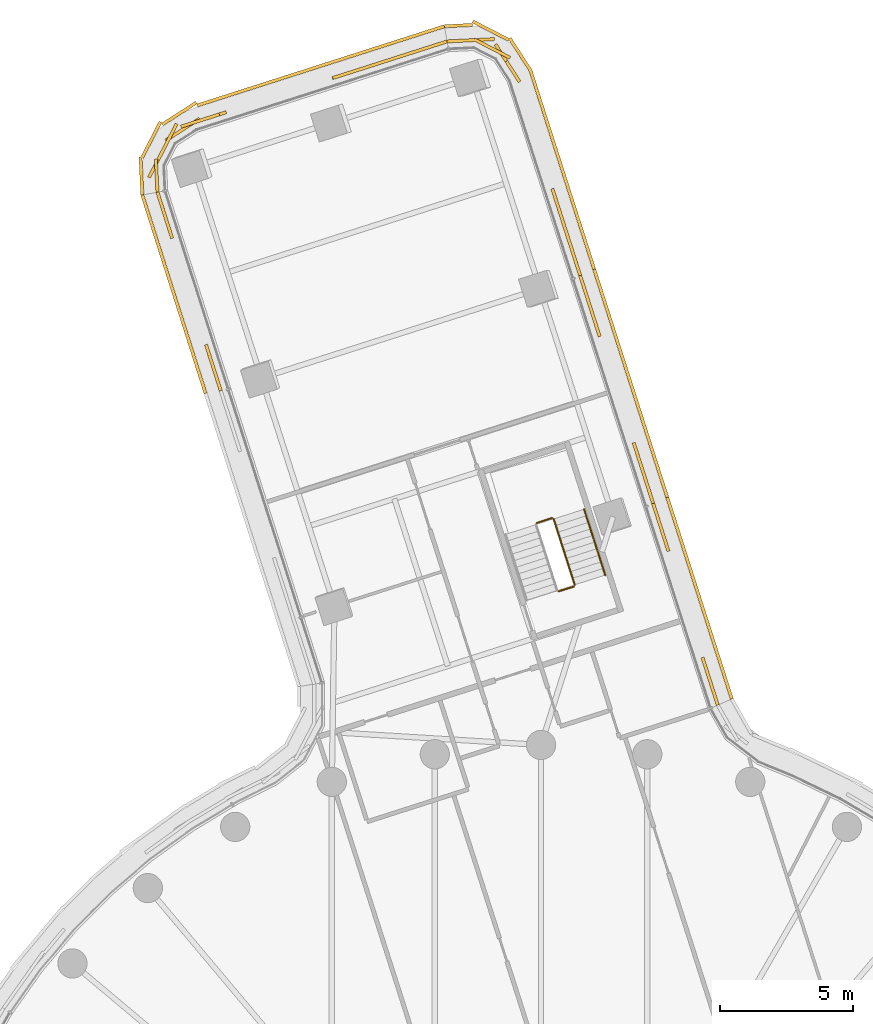
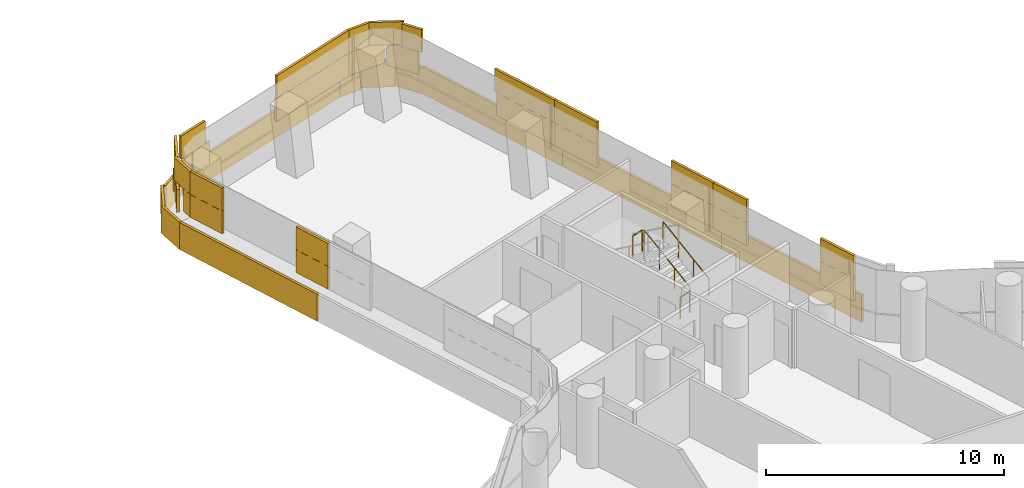
# One storey, part 30 of 30: 5 coverings, 4 railings.
"""IFC4 building model written with IfcOpenShell, lengths in metres."""

from ifc_helpers import new_model, si_unit, direction, frame, origin, origin_2d, place, context, subcontext, project, spatial, rectangle, circle, extrude, material, layer, layer_set, type_object, element, save


model = new_model("IFC4")

# Units and contexts
model_context = context("Model", 3, precision=1e-05, world=origin(), true_north=direction((0.0, 1.0)))
body_context = subcontext(model_context, "Body", "Model", "MODEL_VIEW")
ifc_project = project(units=[si_unit("LENGTHUNIT", "METRE"), si_unit("AREAUNIT", "SQUARE_METRE"), si_unit("VOLUMEUNIT", "CUBIC_METRE"), si_unit("PLANEANGLEUNIT", "RADIAN"), si_unit("MASSUNIT", "GRAM", prefix="KILO")], contexts=[model_context])

# Site, building, storey
site_placement = place(None, origin())
site = spatial("IfcSite", under=ifc_project, at=site_placement, CompositionType="ELEMENT")
building_placement = place(site_placement, origin())
building = spatial("IfcBuilding", under=site, at=building_placement, Name="Tamarind Cross Interchange Tower", CompositionType="ELEMENT")
storey_placement = place(building_placement, frame((0.0, 0.0, 98.5)))
storey = spatial("IfcBuildingStorey", under=building, at=storey_placement, Name="L23", CompositionType="ELEMENT", Elevation=98.5)

# Railings
ifc_material_1 = material(Name="Stair guard")
railing_type_1 = type_object("IfcRailingType", Name="Stair guard", PredefinedType="GUARDRAIL", material=ifc_material_1)
railing_1_placement = place(storey_placement, frame((1.2685546875, 29.021728515625, 0.17041015625)))
element("IfcRailing", 1, at=railing_1_placement, inside=storey, type_object=railing_type_1, Name="L23 ST4 stair guard 1", PredefinedType="GUARDRAIL", context=body_context, shape_type="SweptSolid", body=[
    extrude(circle(Radius=0.02392578125, at=origin_2d()), frame((0.0, 0.0, 1.076171875), z_axis=(-0.255136052864, 0.796426546061, 0.548279446322), x_axis=(-0.952327065072, -0.305078942459, 0.0)), (0.0, 0.0, 1.0), 3.10888671875),
    extrude(circle(Radius=0.02099609375, at=origin_2d()), origin(), (0.0, 0.0, 1.0), 1.052001953125),
    extrude(circle(Radius=0.02099609375, at=origin_2d()), frame((-0.264404296875, 0.825439453125, 0.568115234375)), (0.0, 0.0, 1.0), 1.052001953125),
    extrude(circle(Radius=0.02099609375, at=origin_2d()), frame((-0.52880859375, 1.650634765625, 1.136474609375)), (0.0, 0.0, 1.0), 1.052001953125),
    extrude(circle(Radius=0.02099609375, at=origin_2d()), frame((-0.793212890625, 2.47607421875, 1.70458984375)), (0.0, 0.0, 1.0), 1.052001953125),
])
for number, where, name in (
    (2, (0.412353515625, 31.530029296875, 1.875), "L23 ST4 stair guard 2"),
    (3, (1.236083984375, 28.958740234375, 0.0), "L23 ST4 stair guard 4"),
):
    element("IfcRailing", number, at=place(storey_placement, frame(where)), inside=storey, type_object=railing_type_1, Name=name, PredefinedType="GUARDRAIL", context=body_context, shape_type="SweptSolid", body=[
        extrude(circle(Radius=0.02392578125, at=origin_2d()), frame((0.0, 0.0, 1.076171875), z_axis=(-0.952282288042, -0.305218682065, 0.0), x_axis=(0.305218682065, -0.952282288042, 0.0)), (0.0, 0.0, 1.0), 0.599853515625),
        extrude(circle(Radius=0.02099609375, at=origin_2d()), origin(), (0.0, 0.0, 1.0), 1.052001953125),
        extrude(circle(Radius=0.02099609375, at=origin_2d()), frame((-0.5712890625, -0.18310546875, 0.0)), (0.0, 0.0, 1.0), 1.052001953125),
    ])
ifc_material_2 = material(Name="Stair handrail")
railing_type_2 = type_object("IfcRailingType", Name="Stair handrail", PredefinedType="HANDRAIL", material=ifc_material_2)
railing_2_placement = place(storey_placement, frame((2.411376953125, 29.3876953125, 0.17041015625)))
element("IfcRailing", 4, at=railing_2_placement, inside=storey, type_object=railing_type_2, Name="L23 ST4 stair handrail 1", PredefinedType="HANDRAIL", context=body_context, shape_type="SweptSolid", body=[
    extrude(circle(Radius=0.02392578125, at=origin_2d()), frame((0.0, 0.0, 0.8759765625), z_axis=(-0.255136052864, 0.796426546061, 0.548279446322), x_axis=(-0.952327065072, -0.305078942459, 0.0)), (0.0, 0.0, 1.0), 3.10888671875),
    extrude(circle(Radius=0.02099609375, at=origin_2d()), origin(), (0.0, 0.0, 1.0), 0.851806640625),
    extrude(circle(Radius=0.02099609375, at=origin_2d()), frame((-0.264404296875, 0.825439453125, 0.568115234375)), (0.0, 0.0, 1.0), 0.851806640625),
    extrude(circle(Radius=0.02099609375, at=origin_2d()), frame((-0.52880859375, 1.650634765625, 1.136474609375)), (0.0, 0.0, 1.0), 0.851806640625),
    extrude(circle(Radius=0.02099609375, at=origin_2d()), frame((-0.793212890625, 2.47607421875, 1.70458984375)), (0.0, 0.0, 1.0), 0.851806640625),
])

# Coverings
ifc_material_3 = material(Name="Terracotta", Category="masonry")
ifc_layer = layer(ifc_material_3, 0.1201171875)
ifc_layer_set = layer_set([ifc_layer], Name="Terracotta")
covering_type = type_object("IfcCoveringType", Name="Terracotta baguette screen unit", PredefinedType="MOLDING", material=ifc_layer_set)
covering_1_placement = place(storey_placement, origin())
element("IfcCovering", 5, at=covering_1_placement, inside=storey, type_object=covering_type, Name="SCR-L23-03-00", PredefinedType="MOLDING", context=body_context, shape_type="SweptSolid", body=[
    extrude(rectangle(XDim=0.760009765625, YDim=0.1201171875, at=origin_2d()), frame((6.52978515625, 24.8564453125, 1.404052734375), z_axis=(0.0, 0.0, 1.0), x_axis=(-0.305057113111, 0.95233405785, 0.0)), (0.0, 0.0, 1.0), 1.1669921875),
    extrude(rectangle(XDim=1.138427734375, YDim=0.1201171875, at=origin_2d()), frame((6.243408203125, 25.750732421875, 1.404052734375), z_axis=(0.0, 0.0, 1.0), x_axis=(-0.305057113111, 0.95233405785, 0.0)), (0.0, 0.0, 1.0), 1.1669921875),
    extrude(rectangle(XDim=0.681640625, YDim=0.1201171875, at=origin_2d()), frame((4.6875, 30.607666015625, 1.404052734375), z_axis=(0.0, 0.0, 1.0), x_axis=(-0.305057113111, 0.95233405785, 0.0)), (0.0, 0.0, 1.0), 1.1669921875),
    extrude(rectangle(XDim=1.216796875, YDim=0.1201171875, at=origin_2d()), frame((4.401123046875, 31.502197265625, 1.404052734375), z_axis=(0.0, 0.0, 1.0), x_axis=(-0.305057113111, 0.95233405785, 0.0)), (0.0, 0.0, 1.0), 1.1669921875),
    extrude(rectangle(XDim=1.510009765625, YDim=0.1201171875, at=origin_2d()), frame((6.41552734375, 25.21337890625, 2.5791015625), z_axis=(0.0, 0.0, 1.0), x_axis=(-0.305057113111, 0.95233405785, 0.0)), (0.0, 0.0, 1.0), 1.1669921875),
    extrude(rectangle(XDim=0.388427734375, YDim=0.1201171875, at=origin_2d()), frame((6.12890625, 26.10791015625, 2.5791015625), z_axis=(0.0, 0.0, 1.0), x_axis=(-0.305057113111, 0.95233405785, 0.0)), (0.0, 0.0, 1.0), 1.1669921875),
    extrude(rectangle(XDim=1.431640625, YDim=0.1201171875, at=origin_2d()), frame((4.5732421875, 30.96484375, 2.5791015625), z_axis=(0.0, 0.0, 1.0), x_axis=(-0.305057113111, 0.95233405785, 0.0)), (0.0, 0.0, 1.0), 1.1669921875),
    extrude(rectangle(XDim=0.466796875, YDim=0.1201171875, at=origin_2d()), frame((4.28662109375, 31.859130859375, 2.5791015625), z_axis=(0.0, 0.0, 1.0), x_axis=(-0.305057113111, 0.95233405785, 0.0)), (0.0, 0.0, 1.0), 1.1669921875),
    extrude(rectangle(XDim=0.760009765625, YDim=0.1201171875, at=origin_2d()), frame((7.057373046875, 25.091552734375, 0.00390625), z_axis=(0.0, 0.0, 1.0), x_axis=(-0.305057113111, 0.95233405785, 0.0)), (0.0, 0.0, 1.0), 1.39208984375),
    extrude(rectangle(XDim=1.52001953125, YDim=0.1201171875, at=origin_2d()), frame((6.715576171875, 26.158203125, 0.00390625), z_axis=(0.0, 0.0, 1.0), x_axis=(-0.305057113111, 0.95233405785, 0.0)), (0.0, 0.0, 1.0), 1.39208984375),
    extrude(rectangle(XDim=1.52001953125, YDim=0.1201171875, at=origin_2d()), frame((6.258056640625, 27.586669921875, 0.00390625), z_axis=(0.0, 0.0, 1.0), x_axis=(-0.305057113111, 0.95233405785, 0.0)), (0.0, 0.0, 1.0), 1.39208984375),
    extrude(rectangle(XDim=1.52001953125, YDim=0.1201171875, at=origin_2d()), frame((5.800537109375, 29.01513671875, 0.00390625), z_axis=(0.0, 0.0, 1.0), x_axis=(-0.305057113111, 0.95233405785, 0.0)), (0.0, 0.0, 1.0), 1.39208984375),
    extrude(rectangle(XDim=1.52001953125, YDim=0.1201171875, at=origin_2d()), frame((5.3427734375, 30.443603515625, 0.00390625), z_axis=(0.0, 0.0, 1.0), x_axis=(-0.305057113111, 0.95233405785, 0.0)), (0.0, 0.0, 1.0), 1.39208984375),
    extrude(rectangle(XDim=1.222412109375, YDim=0.1201171875, at=origin_2d()), frame((4.9306640625, 31.73046875, 0.00390625), z_axis=(0.0, 0.0, 1.0), x_axis=(-0.305057113111, 0.95233405785, 0.0)), (0.0, 0.0, 1.0), 1.39208984375),
])
covering_2_placement = place(storey_placement, origin())
element("IfcCovering", 6, at=covering_2_placement, inside=storey, type_object=covering_type, Name="SCR-L23-03-01", PredefinedType="MOLDING", context=body_context, shape_type="SweptSolid", body=[
    extrude(rectangle(XDim=0.30322265625, YDim=0.1201171875, at=origin_2d()), frame((4.17236328125, 32.21630859375, 1.404052734375), z_axis=(0.0, 0.0, 1.0), x_axis=(-0.305057113111, 0.95233405785, 0.0)), (0.0, 0.0, 1.0), 1.1669921875),
    extrude(rectangle(XDim=1.52001953125, YDim=0.1201171875, at=origin_2d()), frame((3.898681640625, 33.0703125, 1.404052734375), z_axis=(0.0, 0.0, 1.0), x_axis=(-0.305057113111, 0.95233405785, 0.0)), (0.0, 0.0, 1.0), 1.1669921875),
    extrude(rectangle(XDim=0.6171875, YDim=0.1201171875, at=origin_2d()), frame((3.577392578125, 34.07373046875, 1.404052734375), z_axis=(0.0, 0.0, 1.0), x_axis=(-0.305057113111, 0.95233405785, 0.0)), (0.0, 0.0, 1.0), 1.1669921875),
    extrude(rectangle(XDim=1.20263671875, YDim=0.1201171875, at=origin_2d()), frame((2.021484375, 38.9306640625, 1.404052734375), z_axis=(0.0, 0.0, 1.0), x_axis=(-0.305057113111, 0.95233405785, 0.0)), (0.0, 0.0, 1.0), 1.1669921875),
    extrude(rectangle(XDim=1.2177734375, YDim=0.1201171875, at=origin_2d()), frame((1.655517578125, 40.073486328125, 1.404052734375), z_axis=(0.0, 0.0, 1.0), x_axis=(-0.305057113111, 0.95233405785, 0.0)), (0.0, 0.0, 1.0), 1.1669921875),
    extrude(rectangle(XDim=1.05322265625, YDim=0.1201171875, at=origin_2d()), frame((4.057861328125, 32.573486328125, 2.5791015625), z_axis=(0.0, 0.0, 1.0), x_axis=(-0.305057113111, 0.95233405785, 0.0)), (0.0, 0.0, 1.0), 1.1669921875),
    extrude(rectangle(XDim=1.3671875, YDim=0.1201171875, at=origin_2d()), frame((3.691650390625, 33.716552734375, 2.5791015625), z_axis=(0.0, 0.0, 1.0), x_axis=(-0.305057113111, 0.95233405785, 0.0)), (0.0, 0.0, 1.0), 1.1669921875),
    extrude(rectangle(XDim=0.45263671875, YDim=0.1201171875, at=origin_2d()), frame((2.135986328125, 38.573486328125, 2.5791015625), z_axis=(0.0, 0.0, 1.0), x_axis=(-0.305057113111, 0.95233405785, 0.0)), (0.0, 0.0, 1.0), 1.1669921875),
    extrude(rectangle(XDim=1.52001953125, YDim=0.1201171875, at=origin_2d()), frame((1.839599609375, 39.49853515625, 2.5791015625), z_axis=(0.0, 0.0, 1.0), x_axis=(-0.305057113111, 0.95233405785, 0.0)), (0.0, 0.0, 1.0), 1.1669921875),
    extrude(rectangle(XDim=0.4677734375, YDim=0.1201171875, at=origin_2d()), frame((1.541015625, 40.4306640625, 2.5791015625), z_axis=(0.0, 0.0, 1.0), x_axis=(-0.305057113111, 0.95233405785, 0.0)), (0.0, 0.0, 1.0), 1.1669921875),
    extrude(rectangle(XDim=0.297607421875, YDim=0.1201171875, at=origin_2d()), frame((4.69873046875, 32.454345703125, 0.00390625), z_axis=(0.0, 0.0, 1.0), x_axis=(-0.305057113111, 0.95233405785, 0.0)), (0.0, 0.0, 1.0), 1.39208984375),
    extrude(rectangle(XDim=1.52001953125, YDim=0.1201171875, at=origin_2d()), frame((4.427734375, 33.30078125, 0.00390625), z_axis=(0.0, 0.0, 1.0), x_axis=(-0.305057113111, 0.95233405785, 0.0)), (0.0, 0.0, 1.0), 1.39208984375),
    extrude(rectangle(XDim=1.52001953125, YDim=0.1201171875, at=origin_2d()), frame((3.97021484375, 34.729248046875, 0.00390625), z_axis=(0.0, 0.0, 1.0), x_axis=(-0.305057113111, 0.95233405785, 0.0)), (0.0, 0.0, 1.0), 1.39208984375),
    extrude(rectangle(XDim=1.52001953125, YDim=0.1201171875, at=origin_2d()), frame((3.512451171875, 36.15771484375, 0.00390625), z_axis=(0.0, 0.0, 1.0), x_axis=(-0.305057113111, 0.95233405785, 0.0)), (0.0, 0.0, 1.0), 1.39208984375),
    extrude(rectangle(XDim=1.52001953125, YDim=0.1201171875, at=origin_2d()), frame((3.054931640625, 37.586181640625, 0.00390625), z_axis=(0.0, 0.0, 1.0), x_axis=(-0.305057113111, 0.95233405785, 0.0)), (0.0, 0.0, 1.0), 1.39208984375),
    extrude(rectangle(XDim=1.52001953125, YDim=0.1201171875, at=origin_2d()), frame((2.597412109375, 39.0146484375, 0.00390625), z_axis=(0.0, 0.0, 1.0), x_axis=(-0.305057113111, 0.95233405785, 0.0)), (0.0, 0.0, 1.0), 1.39208984375),
    extrude(rectangle(XDim=1.229736328125, YDim=0.1201171875, at=origin_2d()), frame((2.18408203125, 40.304931640625, 0.00390625), z_axis=(0.0, 0.0, 1.0), x_axis=(-0.305057113111, 0.95233405785, 0.0)), (0.0, 0.0, 1.0), 1.39208984375),
])
covering_3_placement = place(storey_placement, origin())
element("IfcCovering", 7, at=covering_3_placement, inside=storey, type_object=covering_type, Name="SCR-L23-03-02", PredefinedType="MOLDING", context=body_context, shape_type="SweptSolid", body=[
    extrude(rectangle(XDim=0.30224609375, YDim=0.1201171875, at=origin_2d()), frame((1.426513671875, 40.787841796875, 1.404052734375), z_axis=(0.0, 0.0, 1.0), x_axis=(-0.305057113111, 0.95233405785, 0.0)), (0.0, 0.0, 1.0), 1.1669921875),
    extrude(rectangle(XDim=1.52001953125, YDim=0.1201171875, at=origin_2d()), frame((1.1533203125, 41.641357421875, 1.404052734375), z_axis=(0.0, 0.0, 1.0), x_axis=(-0.305057113111, 0.95233405785, 0.0)), (0.0, 0.0, 1.0), 1.1669921875),
    extrude(rectangle(XDim=1.52001953125, YDim=0.1201171875, at=origin_2d()), frame((0.69580078125, 43.06982421875, 1.404052734375), z_axis=(0.0, 0.0, 1.0), x_axis=(-0.305057113111, 0.95233405785, 0.0)), (0.0, 0.0, 1.0), 1.1669921875),
    extrude(rectangle(XDim=1.52001953125, YDim=0.1201171875, at=origin_2d()), frame((-1.30224609375, 48.704833984375, 1.404052734375), z_axis=(0.0, 0.0, 1.0), x_axis=(-0.541144735519, 0.840929471014, 0.0)), (0.0, 0.0, 1.0), 1.1669921875),
    extrude(rectangle(XDim=1.52001953125, YDim=0.1201171875, at=origin_2d()), frame((-2.515869140625, 49.502197265625, 1.404052734375), z_axis=(0.0, 0.0, 1.0), x_axis=(-0.998838652449, -0.048180352576, 0.0)), (0.0, 0.0, 1.0), 1.1669921875),
    extrude(rectangle(XDim=0.276611328125, YDim=0.1201171875, at=origin_2d()), frame((-3.398193359375, 49.459716796875, 1.404052734375), z_axis=(0.0, 0.0, 1.0), x_axis=(-0.998838652449, -0.048180352576, 0.0)), (0.0, 0.0, 1.0), 1.1669921875),
    extrude(rectangle(XDim=1.05224609375, YDim=0.1201171875, at=origin_2d()), frame((1.312255859375, 41.14501953125, 2.5791015625), z_axis=(0.0, 0.0, 1.0), x_axis=(-0.305057113111, 0.95233405785, 0.0)), (0.0, 0.0, 1.0), 1.1669921875),
    extrude(rectangle(XDim=1.52001953125, YDim=0.1201171875, at=origin_2d()), frame((0.924560546875, 42.35546875, 2.5791015625), z_axis=(0.0, 0.0, 1.0), x_axis=(-0.305057113111, 0.95233405785, 0.0)), (0.0, 0.0, 1.0), 1.1669921875),
    extrude(rectangle(XDim=0.897216796875, YDim=0.1201171875, at=origin_2d()), frame((0.560302734375, 43.4921875, 2.5791015625), z_axis=(0.0, 0.0, 1.0), x_axis=(-0.305057113111, 0.95233405785, 0.0)), (0.0, 0.0, 1.0), 1.1669921875),
    extrude(rectangle(XDim=0.9228515625, YDim=0.1201171875, at=origin_2d()), frame((-1.05517578125, 48.32080078125, 2.5791015625), z_axis=(0.0, 0.0, 1.0), x_axis=(-0.541144735519, 0.840929471014, 0.0)), (0.0, 0.0, 1.0), 1.1669921875),
    extrude(rectangle(XDim=1.52001953125, YDim=0.1201171875, at=origin_2d()), frame((-1.843017578125, 49.186767578125, 2.5791015625), z_axis=(0.0, 0.0, 1.0), x_axis=(-0.889109823591, 0.45769391693, 0.0)), (0.0, 0.0, 1.0), 1.1669921875),
    extrude(rectangle(XDim=1.026611328125, YDim=0.1201171875, at=origin_2d()), frame((-3.023681640625, 49.477783203125, 2.5791015625), z_axis=(0.0, 0.0, 1.0), x_axis=(-0.998838652449, -0.048180352576, 0.0)), (0.0, 0.0, 1.0), 1.1669921875),
    extrude(rectangle(XDim=0.290283203125, YDim=0.1201171875, at=origin_2d()), frame((1.9521484375, 41.02880859375, 0.00390625), z_axis=(0.0, 0.0, 1.0), x_axis=(-0.305057113111, 0.95233405785, 0.0)), (0.0, 0.0, 1.0), 1.39208984375),
    extrude(rectangle(XDim=1.52001953125, YDim=0.1201171875, at=origin_2d()), frame((1.68212890625, 41.871826171875, 0.00390625), z_axis=(0.0, 0.0, 1.0), x_axis=(-0.305057113111, 0.95233405785, 0.0)), (0.0, 0.0, 1.0), 1.39208984375),
    extrude(rectangle(XDim=1.52001953125, YDim=0.1201171875, at=origin_2d()), frame((1.224609375, 43.30029296875, 0.00390625), z_axis=(0.0, 0.0, 1.0), x_axis=(-0.305057113111, 0.95233405785, 0.0)), (0.0, 0.0, 1.0), 1.39208984375),
    extrude(rectangle(XDim=1.52001953125, YDim=0.1201171875, at=origin_2d()), frame((0.76708984375, 44.728759765625, 0.00390625), z_axis=(0.0, 0.0, 1.0), x_axis=(-0.305057113111, 0.95233405785, 0.0)), (0.0, 0.0, 1.0), 1.39208984375),
    extrude(rectangle(XDim=1.52001953125, YDim=0.1201171875, at=origin_2d()), frame((0.309326171875, 46.1572265625, 0.00390625), z_axis=(0.0, 0.0, 1.0), x_axis=(-0.305057113111, 0.95233405785, 0.0)), (0.0, 0.0, 1.0), 1.39208984375),
    extrude(rectangle(XDim=1.52001953125, YDim=0.1201171875, at=origin_2d()), frame((-0.148193359375, 47.585693359375, 0.00390625), z_axis=(0.0, 0.0, 1.0), x_axis=(-0.305057113111, 0.95233405785, 0.0)), (0.0, 0.0, 1.0), 1.39208984375),
    extrude(rectangle(XDim=1.52001953125, YDim=0.1201171875, at=origin_2d()), frame((-0.76904296875, 48.937255859375, 0.00390625), z_axis=(0.0, 0.0, 1.0), x_axis=(-0.541144735519, 0.840929471014, 0.0)), (0.0, 0.0, 1.0), 1.39208984375),
    extrude(rectangle(XDim=1.52001953125, YDim=0.1201171875, at=origin_2d()), frame((-1.89111328125, 49.85693359375, 0.00390625), z_axis=(0.0, 0.0, 1.0), x_axis=(-0.889109823591, 0.45769391693, 0.0)), (0.0, 0.0, 1.0), 1.39208984375),
    extrude(rectangle(XDim=1.060302734375, YDim=0.1201171875, at=origin_2d()), frame((-3.10498046875, 50.048583984375, 0.00390625), z_axis=(0.0, 0.0, 1.0), x_axis=(-0.998838652449, -0.048180352576, 0.0)), (0.0, 0.0, 1.0), 1.39208984375),
])
covering_4_placement = place(storey_placement, origin())
element("IfcCovering", 8, at=covering_4_placement, inside=storey, type_object=covering_type, Name="SCR-L23-04-00", PredefinedType="MOLDING", context=body_context, shape_type="SweptSolid", body=[
    extrude(rectangle(XDim=0.760009765625, YDim=0.1201171875, at=origin_2d()), frame((-3.888427734375, 49.3388671875, 1.404052734375), z_axis=(0.0, 0.0, 1.0), x_axis=(-0.95233405785, -0.305057113111, 0.0)), (0.0, 0.0, 1.0), 1.1669921875),
    extrude(rectangle(XDim=1.52001953125, YDim=0.1201171875, at=origin_2d()), frame((-4.959716796875, 48.99560546875, 1.404052734375), z_axis=(0.0, 0.0, 1.0), x_axis=(-0.95233405785, -0.305057113111, 0.0)), (0.0, 0.0, 1.0), 1.1669921875),
    extrude(rectangle(XDim=1.52001953125, YDim=0.1201171875, at=origin_2d()), frame((-6.38818359375, 48.5380859375, 1.404052734375), z_axis=(0.0, 0.0, 1.0), x_axis=(-0.95233405785, -0.305057113111, 0.0)), (0.0, 0.0, 1.0), 1.1669921875),
    extrude(rectangle(XDim=0.784912109375, YDim=0.1201171875, at=origin_2d()), frame((-7.471435546875, 48.191162109375, 1.404052734375), z_axis=(0.0, 0.0, 1.0), x_axis=(-0.95233405785, -0.305057113111, 0.0)), (0.0, 0.0, 1.0), 1.1669921875),
    extrude(rectangle(XDim=1.03515625, YDim=0.1201171875, at=origin_2d()), frame((-12.328369140625, 46.63525390625, 1.404052734375), z_axis=(0.0, 0.0, 1.0), x_axis=(-0.95233405785, -0.305057113111, 0.0)), (0.0, 0.0, 1.0), 1.1669921875),
    extrude(rectangle(XDim=1.52001953125, YDim=0.1201171875, at=origin_2d()), frame((-13.477783203125, 46.1376953125, 1.404052734375), z_axis=(0.0, 0.0, 1.0), x_axis=(-0.840929471014, -0.541144735519, 0.0)), (0.0, 0.0, 1.0), 1.1669921875),
    extrude(rectangle(XDim=1.52001953125, YDim=0.1201171875, at=origin_2d()), frame((-14.392333984375, 45.010986328125, 1.404052734375), z_axis=(0.0, 0.0, 1.0), x_axis=(-0.45769391693, -0.889109823591, 0.0)), (0.0, 0.0, 1.0), 1.1669921875),
    extrude(rectangle(XDim=0.509521484375, YDim=0.1201171875, at=origin_2d()), frame((-14.434326171875, 44.031982421875, 1.404052734375), z_axis=(0.0, 0.0, 1.0), x_axis=(0.048180352576, -0.998838652449, 0.0)), (0.0, 0.0, 1.0), 1.1669921875),
    extrude(rectangle(XDim=1.510009765625, YDim=0.1201171875, at=origin_2d()), frame((-4.24560546875, 49.224365234375, 2.5791015625), z_axis=(0.0, 0.0, 1.0), x_axis=(-0.95233405785, -0.305057113111, 0.0)), (0.0, 0.0, 1.0), 1.1669921875),
    extrude(rectangle(XDim=1.52001953125, YDim=0.1201171875, at=origin_2d()), frame((-5.674072265625, 48.766845703125, 2.5791015625), z_axis=(0.0, 0.0, 1.0), x_axis=(-0.95233405785, -0.305057113111, 0.0)), (0.0, 0.0, 1.0), 1.1669921875),
    extrude(rectangle(XDim=1.52001953125, YDim=0.1201171875, at=origin_2d()), frame((-7.1025390625, 48.309326171875, 2.5791015625), z_axis=(0.0, 0.0, 1.0), x_axis=(-0.95233405785, -0.305057113111, 0.0)), (0.0, 0.0, 1.0), 1.1669921875),
    extrude(rectangle(XDim=1.52001953125, YDim=0.1201171875, at=origin_2d()), frame((-12.816650390625, 46.47900390625, 2.5791015625), z_axis=(0.0, 0.0, 1.0), x_axis=(-0.95233405785, -0.305057113111, 0.0)), (0.0, 0.0, 1.0), 1.1669921875),
    extrude(rectangle(XDim=1.52001953125, YDim=0.1201171875, at=origin_2d()), frame((-14.049072265625, 45.677978515625, 2.5791015625), z_axis=(0.0, 0.0, 1.0), x_axis=(-0.45769391693, -0.889109823591, 0.0)), (0.0, 0.0, 1.0), 1.1669921875),
    extrude(rectangle(XDim=1.259521484375, YDim=0.1201171875, at=origin_2d()), frame((-14.452392578125, 44.406494140625, 2.5791015625), z_axis=(0.0, 0.0, 1.0), x_axis=(0.048180352576, -0.998838652449, 0.0)), (0.0, 0.0, 1.0), 1.1669921875),
    extrude(rectangle(XDim=0.760009765625, YDim=0.1201171875, at=origin_2d()), frame((-3.996337890625, 49.906982421875, 0.00390625), z_axis=(0.0, 0.0, 1.0), x_axis=(-0.95233405785, -0.305057113111, 0.0)), (0.0, 0.0, 1.0), 1.39208984375),
    extrude(rectangle(XDim=1.52001953125, YDim=0.1201171875, at=origin_2d()), frame((-5.06298828125, 49.5654296875, 0.00390625), z_axis=(0.0, 0.0, 1.0), x_axis=(-0.95233405785, -0.305057113111, 0.0)), (0.0, 0.0, 1.0), 1.39208984375),
    extrude(rectangle(XDim=1.52001953125, YDim=0.1201171875, at=origin_2d()), frame((-6.491455078125, 49.10791015625, 0.00390625), z_axis=(0.0, 0.0, 1.0), x_axis=(-0.95233405785, -0.305057113111, 0.0)), (0.0, 0.0, 1.0), 1.39208984375),
    extrude(rectangle(XDim=1.52001953125, YDim=0.1201171875, at=origin_2d()), frame((-7.919921875, 48.650146484375, 0.00390625), z_axis=(0.0, 0.0, 1.0), x_axis=(-0.95233405785, -0.305057113111, 0.0)), (0.0, 0.0, 1.0), 1.39208984375),
    extrude(rectangle(XDim=1.52001953125, YDim=0.1201171875, at=origin_2d()), frame((-9.348388671875, 48.192626953125, 0.00390625), z_axis=(0.0, 0.0, 1.0), x_axis=(-0.95233405785, -0.305057113111, 0.0)), (0.0, 0.0, 1.0), 1.39208984375),
    extrude(rectangle(XDim=1.52001953125, YDim=0.1201171875, at=origin_2d()), frame((-10.77685546875, 47.735107421875, 0.00390625), z_axis=(0.0, 0.0, 1.0), x_axis=(-0.95233405785, -0.305057113111, 0.0)), (0.0, 0.0, 1.0), 1.39208984375),
    extrude(rectangle(XDim=1.52001953125, YDim=0.1201171875, at=origin_2d()), frame((-12.205322265625, 47.27734375, 0.00390625), z_axis=(0.0, 0.0, 1.0), x_axis=(-0.95233405785, -0.305057113111, 0.0)), (0.0, 0.0, 1.0), 1.39208984375),
    extrude(rectangle(XDim=1.52001953125, YDim=0.1201171875, at=origin_2d()), frame((-13.59765625, 46.7431640625, 0.00390625), z_axis=(0.0, 0.0, 1.0), x_axis=(-0.840929471014, -0.541144735519, 0.0)), (0.0, 0.0, 1.0), 1.39208984375),
    extrude(rectangle(XDim=1.52001953125, YDim=0.1201171875, at=origin_2d()), frame((-14.657958984375, 45.748779296875, 0.00390625), z_axis=(0.0, 0.0, 1.0), x_axis=(-0.45769391693, -0.889109823591, 0.0)), (0.0, 0.0, 1.0), 1.39208984375),
    extrude(rectangle(XDim=1.4267578125, YDim=0.1201171875, at=origin_2d()), frame((-15.0263671875, 44.392333984375, 0.00390625), z_axis=(0.0, 0.0, 1.0), x_axis=(0.048180352576, -0.998838652449, 0.0)), (0.0, 0.0, 1.0), 1.39208984375),
])
covering_5_placement = place(storey_placement, origin())
element("IfcCovering", 9, at=covering_5_placement, inside=storey, type_object=covering_type, Name="SCR-L23-05-00", PredefinedType="MOLDING", context=body_context, shape_type="SweptSolid", body=[
    extrude(rectangle(XDim=0.760009765625, YDim=0.1201171875, at=origin_2d()), frame((-14.308349609375, 43.42529296875, 1.404052734375), z_axis=(0.0, 0.0, 1.0), x_axis=(0.303682573614, -0.952773264992, 0.0)), (0.0, 0.0, 1.0), 1.1669921875),
    extrude(rectangle(XDim=1.075439453125, YDim=0.1201171875, at=origin_2d()), frame((-14.03271484375, 42.560302734375, 1.404052734375), z_axis=(0.0, 0.0, 1.0), x_axis=(0.303682573614, -0.952773264992, 0.0)), (0.0, 0.0, 1.0), 1.1669921875),
    extrude(rectangle(XDim=0.744384765625, YDim=0.1201171875, at=origin_2d()), frame((-12.484130859375, 37.701171875, 1.404052734375), z_axis=(0.0, 0.0, 1.0), x_axis=(0.303682573614, -0.952773264992, 0.0)), (0.0, 0.0, 1.0), 1.1669921875),
    extrude(rectangle(XDim=1.091064453125, YDim=0.1201171875, at=origin_2d()), frame((-12.208251953125, 36.836181640625, 1.404052734375), z_axis=(0.0, 0.0, 1.0), x_axis=(0.303682573614, -0.952773264992, 0.0)), (0.0, 0.0, 1.0), 1.1669921875),
    extrude(rectangle(XDim=1.510009765625, YDim=0.1201171875, at=origin_2d()), frame((-14.194580078125, 43.06787109375, 2.5791015625), z_axis=(0.0, 0.0, 1.0), x_axis=(0.303682573614, -0.952773264992, 0.0)), (0.0, 0.0, 1.0), 1.1669921875),
    extrude(rectangle(XDim=0.325439453125, YDim=0.1201171875, at=origin_2d()), frame((-13.9189453125, 42.203125, 2.5791015625), z_axis=(0.0, 0.0, 1.0), x_axis=(0.303682573614, -0.952773264992, 0.0)), (0.0, 0.0, 1.0), 1.1669921875),
    extrude(rectangle(XDim=1.494384765625, YDim=0.1201171875, at=origin_2d()), frame((-12.3701171875, 37.343994140625, 2.5791015625), z_axis=(0.0, 0.0, 1.0), x_axis=(0.303682573614, -0.952773264992, 0.0)), (0.0, 0.0, 1.0), 1.1669921875),
    extrude(rectangle(XDim=0.341064453125, YDim=0.1201171875, at=origin_2d()), frame((-12.094482421875, 36.47900390625, 2.5791015625), z_axis=(0.0, 0.0, 1.0), x_axis=(0.303682573614, -0.952773264992, 0.0)), (0.0, 0.0, 1.0), 1.1669921875),
    extrude(rectangle(XDim=0.760009765625, YDim=0.1201171875, at=origin_2d()), frame((-14.876708984375, 43.317626953125, 0.00390625), z_axis=(0.0, 0.0, 1.0), x_axis=(0.303682573614, -0.952773264992, 0.0)), (0.0, 0.0, 1.0), 1.39208984375),
    extrude(rectangle(XDim=1.52001953125, YDim=0.1201171875, at=origin_2d()), frame((-14.53662109375, 42.25048828125, 0.00390625), z_axis=(0.0, 0.0, 1.0), x_axis=(0.303682573614, -0.952773264992, 0.0)), (0.0, 0.0, 1.0), 1.39208984375),
    extrude(rectangle(XDim=1.52001953125, YDim=0.1201171875, at=origin_2d()), frame((-14.0810546875, 40.821533203125, 0.00390625), z_axis=(0.0, 0.0, 1.0), x_axis=(0.303682573614, -0.952773264992, 0.0)), (0.0, 0.0, 1.0), 1.39208984375),
    extrude(rectangle(XDim=1.52001953125, YDim=0.1201171875, at=origin_2d()), frame((-13.62548828125, 39.392333984375, 0.00390625), z_axis=(0.0, 0.0, 1.0), x_axis=(0.303682573614, -0.952773264992, 0.0)), (0.0, 0.0, 1.0), 1.39208984375),
    extrude(rectangle(XDim=1.52001953125, YDim=0.1201171875, at=origin_2d()), frame((-13.169921875, 37.963134765625, 0.00390625), z_axis=(0.0, 0.0, 1.0), x_axis=(0.303682573614, -0.952773264992, 0.0)), (0.0, 0.0, 1.0), 1.39208984375),
    extrude(rectangle(XDim=1.085205078125, YDim=0.1201171875, at=origin_2d()), frame((-12.780517578125, 36.740966796875, 0.00390625), z_axis=(0.0, 0.0, 1.0), x_axis=(0.303682573614, -0.952773264992, 0.0)), (0.0, 0.0, 1.0), 1.39208984375),
])

save(model, "model.ifc")
